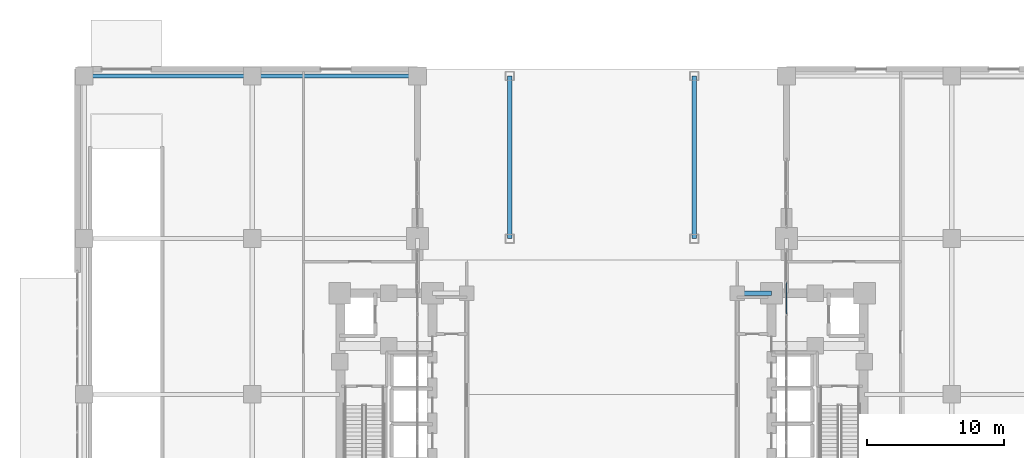
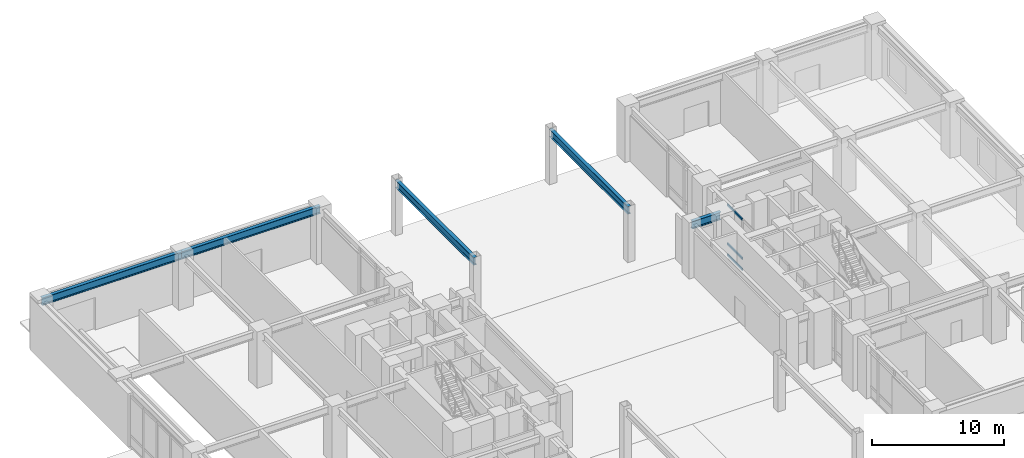
# One storey, part 13 of 23: 5 beams, 3 members, 1 element without a shape of its own.
"""IFC4 building model written with IfcOpenShell, lengths in metres."""

from ifc_helpers import new_model, si_unit, direction, frame, origin, origin_2d, place, context, subcontext, project, spatial, hollow_rectangle, i_section, extrude, material, layer, layer_set, material_profile, profile_set, type_object, element, aggregate, save


model = new_model("IFC4")

# Units and contexts
model_context = context("Model", 3, precision=1e-05, world=origin(), true_north=direction((0.0, 1.0)))
body_context = subcontext(model_context, "Body", "Model", "MODEL_VIEW")
ifc_project = project(units=[si_unit("LENGTHUNIT", "METRE"), si_unit("AREAUNIT", "SQUARE_METRE"), si_unit("VOLUMEUNIT", "CUBIC_METRE"), si_unit("PLANEANGLEUNIT", "RADIAN"), si_unit("MASSUNIT", "GRAM", prefix="KILO")], contexts=[model_context])

# Site, building, storey
site_placement = place(None, origin())
site = spatial("IfcSite", under=ifc_project, at=site_placement, CompositionType="ELEMENT")
building_placement = place(site_placement, origin())
building = spatial("IfcBuilding", under=site, at=building_placement, Name="Voryun Gate Residences", CompositionType="ELEMENT")
storey_placement = place(building_placement, origin())
storey = spatial("IfcBuildingStorey", under=building, at=storey_placement, Name="L00", CompositionType="ELEMENT", Elevation=0.0)

# Beams
ifc_material_1 = material(Name="Steel SM355", Category="steel")
ifc_material_profile_1 = material_profile(ifc_material_1, i_section(OverallWidth=0.300048828125, OverallDepth=0.699951171875, WebThickness=0.012939453125, FlangeThickness=0.02392578125, FilletRadius=0.01806640625, at=origin_2d()), Name="H-700x300x13x24")
ifc_profile_set_1 = profile_set([ifc_material_profile_1], Name="Steel SM355")
beam_type = type_object("IfcBeamType", Name="BM_GIRD_700", PredefinedType="USERDEFINED", material=ifc_profile_set_1)
beam_1_placement = place(storey_placement, frame((12.39990234375, 7.39990234375, 4.570068359375), z_axis=(-1.0, 0.0, 0.0), x_axis=(0.0, -1.0, 0.0)))
element("IfcBeam", 1, at=beam_1_placement, inside=storey, type_object=beam_type, Name="BM-L00-CLRX-CLR-EN", ObjectType="GIRDER", PredefinedType="USERDEFINED", context=body_context, shape_type="SweptSolid", body=[
    extrude(i_section(OverallWidth=0.300048828125, OverallDepth=0.699951171875, WebThickness=0.012939453125, FlangeThickness=0.02392578125, FilletRadius=0.01806640625, at=origin_2d()), origin(), (0.0, 0.0, 1.0), 2.5),
])
beam_2_placement = place(storey_placement, frame((-37.89990234375, 23.300048828125, 4.570068359375), z_axis=(1.0, 0.0, 0.0), x_axis=(0.0, 1.0, 0.0)))
element("IfcBeam", 2, at=beam_2_placement, inside=storey, type_object=beam_type, Name="BM-L00-PWX-+23.3-0", ObjectType="GIRDER", PredefinedType="USERDEFINED", context=body_context, shape_type="SweptSolid", body=[
    extrude(i_section(OverallWidth=0.300048828125, OverallDepth=0.699951171875, WebThickness=0.012939453125, FlangeThickness=0.02392578125, FilletRadius=0.01806640625, at=origin_2d()), origin(), (0.0, 0.0, 1.0), 12.2998046875),
])
beam_3_placement = place(storey_placement, frame((-25.60009765625, 23.300048828125, 4.570068359375), z_axis=(1.0, 0.0, 0.0), x_axis=(0.0, 1.0, 0.0)))
element("IfcBeam", 3, at=beam_3_placement, inside=storey, type_object=beam_type, Name="BM-L00-PWX-+23.3-1", ObjectType="GIRDER", PredefinedType="USERDEFINED", context=body_context, shape_type="SweptSolid", body=[
    extrude(i_section(OverallWidth=0.300048828125, OverallDepth=0.699951171875, WebThickness=0.012939453125, FlangeThickness=0.02392578125, FilletRadius=0.01806640625, at=origin_2d()), origin(), (0.0, 0.0, 1.0), 12.10009765625),
])
for number, where, z_axis, x_axis, name in (
    (4, (-6.75, 11.39990234375, 4.570068359375), (0.0, 1.0, 0.0), (-1.0, 0.0, 0.0), "BM-L00-APY-N--6.75"),
    (5, (6.75, 11.39990234375, 4.570068359375), (0.0, 1.0, 0.0), (-1.0, 0.0, 0.0), "BM-L00-APY-N-+6.75"),
):
    element("IfcBeam", number, at=place(storey_placement, frame(where, z_axis=z_axis, x_axis=x_axis)), inside=storey, type_object=beam_type, Name=name, ObjectType="GIRDER", PredefinedType="USERDEFINED", context=body_context, shape_type="SweptSolid", body=[
        extrude(i_section(OverallWidth=0.300048828125, OverallDepth=0.699951171875, WebThickness=0.012939453125, FlangeThickness=0.02392578125, FilletRadius=0.01806640625, at=origin_2d()), origin(), (0.0, 0.0, 1.0), 11.900146484375),
    ])

# Curtain wall, members
ifc_material_2 = material(Name="Anodised aluminium", Category="aluminium")
ifc_layer = layer(ifc_material_2, 0.239990234375, Name="CW_SYS_ARCH_DARK_GLASS")
ifc_layer_set = layer_set([ifc_layer], Name="Anodised aluminium")
curtain_wall_type = type_object("IfcCurtainWallType", Name="CW_SYS_ARCH_DARK_GLASS", PredefinedType="NOTDEFINED", material=ifc_layer_set)
curtain_wall_placement = place(storey_placement, origin())
curtain_wall = element("IfcCurtainWall", 6, at=curtain_wall_placement, inside=storey, type_object=curtain_wall_type, Name="Curtain wall CW2-L00-EP-M", PredefinedType="NOTDEFINED")
ifc_material_3 = material(Name="Anodised aluminium", Category="aluminium")
ifc_material_profile_2 = material_profile(ifc_material_3, hollow_rectangle(XDim=0.090087890625, YDim=0.199951171875, WallThickness=0.006103515625, at=origin_2d()), Name="ALU-TRAN-200x90x6")
ifc_profile_set_2 = profile_set([ifc_material_profile_2], Name="Anodised aluminium")
member_type = type_object("IfcMemberType", Name="CW_TRAN_ARCH", PredefinedType="USERDEFINED", material=ifc_profile_set_2)
member_1_placement = place(storey_placement, frame((13.5, 5.893798828125, 0.030029296875), z_axis=(0.0, 1.0, 0.0), x_axis=(-1.0, 0.0, 0.0)))
member_1 = element("IfcMember", 7, at=member_1_placement, type_object=member_type, Name="CW2 transom 8.1", ObjectType="TRANSOM", PredefinedType="USERDEFINED", context=body_context, shape_type="SweptSolid", body=[
    extrude(hollow_rectangle(XDim=0.090087890625, YDim=0.199951171875, WallThickness=0.006103515625, at=origin_2d()), origin(), (0.0, 0.0, 1.0), 2.28564453125),
])
member_2_placement = place(storey_placement, frame((13.5, 5.893798828125, 1.050048828125), z_axis=(0.0, 1.0, 0.0), x_axis=(-1.0, 0.0, 0.0)))
member_2 = element("IfcMember", 8, at=member_2_placement, type_object=member_type, Name="CW2 transom 8.2", ObjectType="TRANSOM", PredefinedType="USERDEFINED", context=body_context, shape_type="SweptSolid", body=[
    extrude(hollow_rectangle(XDim=0.090087890625, YDim=0.199951171875, WallThickness=0.006103515625, at=origin_2d()), origin(), (0.0, 0.0, 1.0), 2.28564453125),
])
member_3_placement = place(storey_placement, frame((13.5, 5.893798828125, 4.669921875), z_axis=(0.0, 1.0, 0.0), x_axis=(-1.0, 0.0, 0.0)))
member_3 = element("IfcMember", 9, at=member_3_placement, type_object=member_type, Name="CW2 transom 8.3", ObjectType="TRANSOM", PredefinedType="USERDEFINED", context=body_context, shape_type="SweptSolid", body=[
    extrude(hollow_rectangle(XDim=0.090087890625, YDim=0.199951171875, WallThickness=0.006103515625, at=origin_2d()), origin(), (0.0, 0.0, 1.0), 2.28564453125),
])
aggregate(curtain_wall, [member_1, member_2, member_3])

save(model, "model.ifc")
